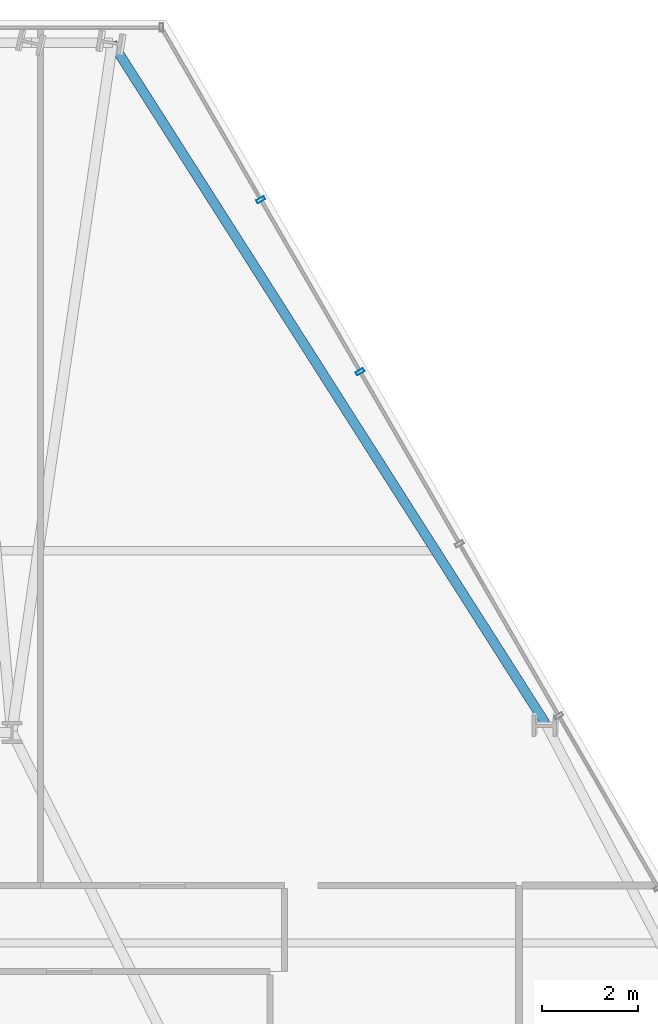
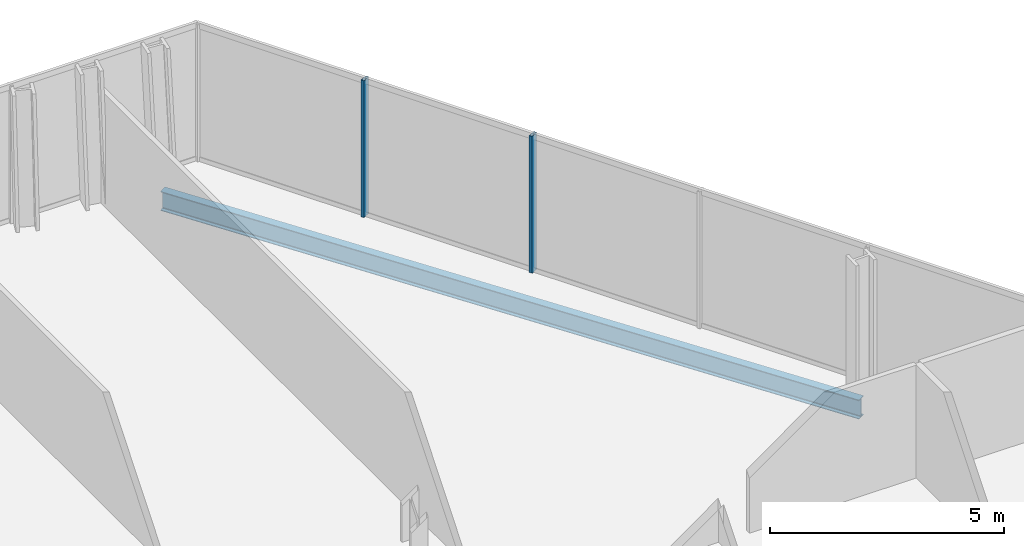
# One storey, part 25 of 32: 2 members, 1 beam, 1 element without a shape of its own.
"""IFC4 building model written with IfcOpenShell, lengths in metres."""

from ifc_helpers import new_model, si_unit, direction, frame, origin, origin_2d, place, context, subcontext, project, spatial, hollow_rectangle, i_section, extrude, material, layer, layer_set, material_profile, profile_set, type_object, element, aggregate, save


model = new_model("IFC4")

# Units and contexts
model_context = context("Model", 3, precision=1e-05, world=origin(), true_north=direction((0.0, 1.0)))
body_context = subcontext(model_context, "Body", "Model", "MODEL_VIEW")
ifc_project = project(units=[si_unit("LENGTHUNIT", "METRE"), si_unit("AREAUNIT", "SQUARE_METRE"), si_unit("VOLUMEUNIT", "CUBIC_METRE"), si_unit("PLANEANGLEUNIT", "RADIAN"), si_unit("MASSUNIT", "GRAM", prefix="KILO")], contexts=[model_context])

# Site, building, storey
site_placement = place(None, origin())
site = spatial("IfcSite", under=ifc_project, at=site_placement, CompositionType="ELEMENT")
building_placement = place(site_placement, origin())
building = spatial("IfcBuilding", under=site, at=building_placement, Name="Ndaravel Arena Tower", CompositionType="ELEMENT")
storey_placement = place(building_placement, frame((0.0, 0.0, 96.800048828125)))
storey = spatial("IfcBuildingStorey", under=building, at=storey_placement, Name="L22", CompositionType="ELEMENT", Elevation=96.800048828125)

# Beam
ifc_material_1 = material(Name="Steel S355", Category="steel")
ifc_material_profile_1 = material_profile(ifc_material_1, i_section(OverallWidth=0.199951171875, OverallDepth=0.5, WebThickness=0.01025390625, FlangeThickness=0.01611328125, FilletRadius=0.02099609375, at=origin_2d()), Name="IPE 500")
ifc_profile_set_1 = profile_set([ifc_material_profile_1], Name="Steel S355")
beam_type = type_object("IfcBeamType", Name="BM-SPAN-IPE500", PredefinedType="SPANDREL", material=ifc_profile_set_1)
beam_placement = place(storey_placement, frame((56.957763671875, 31.387451171875, -0.469970703125), z_axis=(-0.537028166035, 0.84356431224, 0.0), x_axis=(-0.84356431224, -0.537028166035, 0.0)))
element("IfcBeam", 1, at=beam_placement, inside=storey, type_object=beam_type, Name="L22 Perimeter Spandrel Beam SP-10", PredefinedType="SPANDREL", context=body_context, shape_type="SweptSolid", body=[
    extrude(i_section(OverallWidth=0.199951171875, OverallDepth=0.5, WebThickness=0.01025390625, FlangeThickness=0.01611328125, FilletRadius=0.02099609375, at=origin_2d()), origin(), (0.0, 0.0, 1.0), 16.86474609375),
])

# Curtain wall, members
ifc_material_2 = material(Name="Aluminium", Category="aluminium")
ifc_layer = layer(ifc_material_2, 0.179931640625)
ifc_layer_set = layer_set([ifc_layer], Name="Aluminium")
curtain_wall_type = type_object("IfcCurtainWallType", Name="CW-SYS-03", PredefinedType="NOTDEFINED", material=ifc_layer_set)
curtain_wall_placement = place(storey_placement, origin())
curtain_wall = element("IfcCurtainWall", 2, at=curtain_wall_placement, inside=storey, type_object=curtain_wall_type, Name="L22 Faceted Crystal Curtain Wall CW-L22-E03", PredefinedType="NOTDEFINED")
ifc_material_3 = material(Name="Aluminium", Category="aluminium")
ifc_material_profile_2 = material_profile(ifc_material_3, hollow_rectangle(XDim=0.074951171875, YDim=0.179931640625, WallThickness=0.00390625, at=origin_2d()), Name="CW MULLION 75x180x4")
ifc_profile_set_2 = profile_set([ifc_material_profile_2], Name="Aluminium")
member_type = type_object("IfcMemberType", Name="MEM-CW-MUL180", PredefinedType="MULLION", material=ifc_profile_set_2)
member_1_placement = place(storey_placement, frame((53.081787109375, 38.74072265625, 0.0), z_axis=(0.0, 0.0, 1.0), x_axis=(-0.5, 0.866025403784, 0.0)))
member_1 = element("IfcMember", 3, at=member_1_placement, type_object=member_type, Name="CW-L22-E03 Mullion 06", PredefinedType="MULLION", context=body_context, shape_type="SweptSolid", body=[
    extrude(hollow_rectangle(XDim=0.074951171875, YDim=0.179931640625, WallThickness=0.00390625, at=origin_2d()), origin(), (0.0, 0.0, 1.0), 3.579833984375),
])
member_2_placement = place(storey_placement, frame((51.005126953125, 42.33740234375, 0.0), z_axis=(0.0, 0.0, 1.0), x_axis=(-0.5, 0.866025403784, 0.0)))
member_2 = element("IfcMember", 4, at=member_2_placement, type_object=member_type, Name="CW-L22-E03 Mullion 07", PredefinedType="MULLION", context=body_context, shape_type="SweptSolid", body=[
    extrude(hollow_rectangle(XDim=0.074951171875, YDim=0.179931640625, WallThickness=0.00390625, at=origin_2d()), origin(), (0.0, 0.0, 1.0), 3.579833984375),
])
aggregate(curtain_wall, [member_1, member_2])

save(model, "model.ifc")
